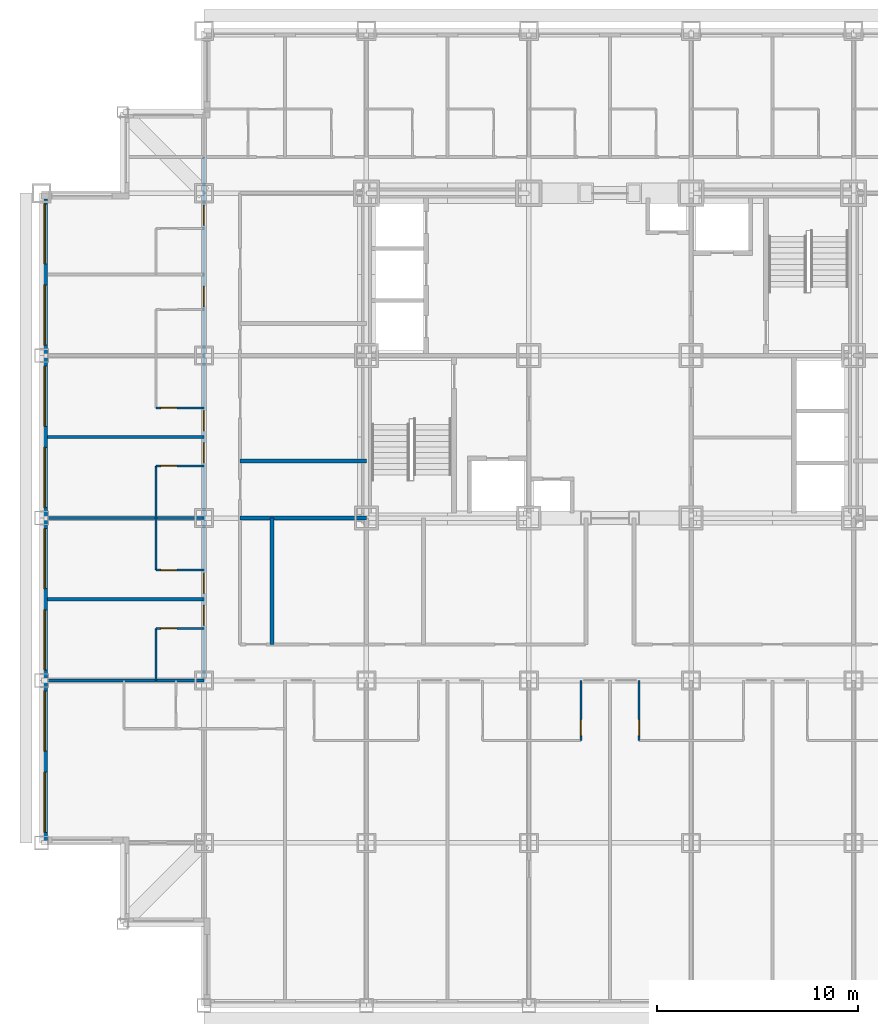
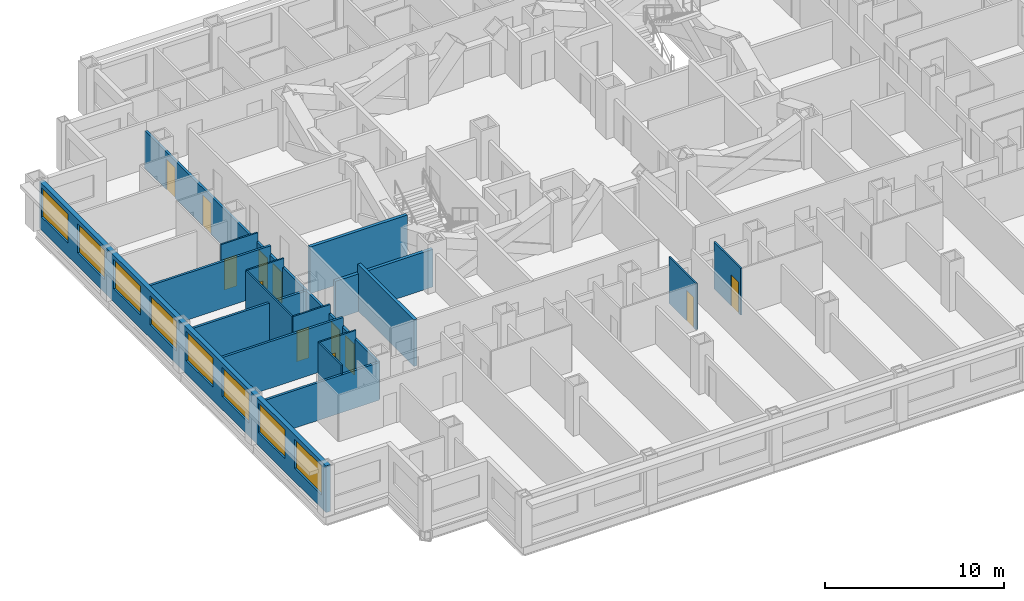
# One storey, part 4 of 12: 17 walls, 12 doors, 8 windows, 20 openings.
"""IFC4 building model written with IfcOpenShell, lengths in metres."""

from ifc_helpers import new_model, si_unit, direction, frame, frame_2d, origin, place, context, subcontext, project, spatial, rectangle, extrude, material, layer, layer_set, type_object, element, fill, save


model = new_model("IFC4")

# Units and contexts
model_context = context("Model", 3, precision=1e-05, world=origin(), true_north=direction((0.0, 1.0)))
body_context = subcontext(model_context, "Body", "Model", "MODEL_VIEW")
ifc_project = project(units=[si_unit("LENGTHUNIT", "METRE"), si_unit("AREAUNIT", "SQUARE_METRE"), si_unit("VOLUMEUNIT", "CUBIC_METRE"), si_unit("PLANEANGLEUNIT", "RADIAN"), si_unit("MASSUNIT", "GRAM", prefix="KILO")], contexts=[model_context])

# Site, building, storey
site_placement = place(None, origin())
site = spatial("IfcSite", under=ifc_project, at=site_placement, CompositionType="ELEMENT")
building_placement = place(site_placement, origin())
building = spatial("IfcBuilding", under=site, at=building_placement, Name="Kopane Lantern Tower", CompositionType="ELEMENT")
storey_placement = place(building_placement, frame((0.0, 0.0, 46.60009765625)))
storey = spatial("IfcBuildingStorey", under=building, at=storey_placement, Name="L10", CompositionType="ELEMENT", Elevation=46.60009765625)

# Wall, opening, door
ifc_material_1 = material(Name="Moisture-resistant board on steel studs", Category="steel")
ifc_layer_1 = layer(ifc_material_1, 0.10009765625)
ifc_layer_set_1 = layer_set([ifc_layer_1], Name="BATHROOM WALL 100")
wall_type_1 = type_object("IfcWallType", Name="BATHROOM WALL 100", PredefinedType="PARTITIONING", material=ifc_layer_set_1)
wall_1_placement = place(storey_placement, frame((26.89990234375, 16.199951171875, 0.0), z_axis=(0.0, 0.0, 1.0), x_axis=(0.0, -1.0, 0.0)))
wall_1 = element("IfcWall", 1, at=wall_1_placement, inside=storey, type_object=wall_type_1, Name="Bathroom Wall 100 L10", PredefinedType="PARTITIONING", context=body_context, shape_type="SweptSolid", body=[
    extrude(rectangle(XDim=3.0, YDim=0.10009765625, at=frame_2d((1.5, 0.0))), origin(), (0.0, 0.0, 1.0), 3.18994140625),
])
opening_1_placement = place(wall_1_placement, frame((1.949951171875, 0.0, 0.0)))
opening_1 = element("IfcOpeningElement", 2, at=opening_1_placement, cuts=wall_1, Name="Opening L10-022", PredefinedType="OPENING", context=body_context, shape_type="SweptSolid", body=[
    extrude(rectangle(XDim=0.800048828125, YDim=2.10009765625, at=frame_2d((0.39990234375, 1.050048828125))), frame((0.0, 0.06005859375, 0.0), z_axis=(0.0, -1.0, 0.0), x_axis=(1.0, 0.0, 0.0)), (0.0, 0.0, 1.0), 0.1201171875),
])
ifc_material_2 = material(Name="Timber door set", Category="wood")
door_type_1 = type_object("IfcDoorType", Name="DOOR D2 800x2100", OperationType="SINGLE_SWING_LEFT", PredefinedType="DOOR", material=ifc_material_2)
door_1_placement = place(opening_1_placement, origin())
door_1 = element("IfcDoor", 3, at=door_1_placement, inside=storey, type_object=door_type_1, Name="Door L10-022", OperationType="SINGLE_SWING_LEFT", OverallHeight=2.10009765625, OverallWidth=0.800048828125, PredefinedType="DOOR", context=body_context, shape_type="SweptSolid", body=[
    extrude(rectangle(XDim=0.800048828125, YDim=2.10009765625, at=frame_2d((0.39990234375, 1.050048828125))), frame((0.0, 0.02490234375, 0.0), z_axis=(0.0, -1.0, 0.0), x_axis=(1.0, 0.0, 0.0)), (0.0, 0.0, 1.0), 0.050048828125),
])
fill(opening_1, door_1)

wall_2_placement = place(storey_placement, frame((29.800048828125, 16.199951171875, 0.0), z_axis=(0.0, 0.0, 1.0), x_axis=(0.0, -1.0, 0.0)))
wall_2 = element("IfcWall", 4, at=wall_2_placement, inside=storey, type_object=wall_type_1, Name="Bathroom Wall 100 L10", PredefinedType="PARTITIONING", context=body_context, shape_type="SweptSolid", body=[
    extrude(rectangle(XDim=3.0, YDim=0.10009765625, at=frame_2d((1.5, 0.0))), origin(), (0.0, 0.0, 1.0), 3.18994140625),
])
opening_2_placement = place(wall_2_placement, frame((1.949951171875, 0.0, 0.0)))
opening_2 = element("IfcOpeningElement", 5, at=opening_2_placement, cuts=wall_2, Name="Opening L10-025", PredefinedType="OPENING", context=body_context, shape_type="SweptSolid", body=[
    extrude(rectangle(XDim=0.800048828125, YDim=2.10009765625, at=frame_2d((0.39990234375, 1.050048828125))), frame((0.0, 0.06005859375, 0.0), z_axis=(0.0, -1.0, 0.0), x_axis=(1.0, 0.0, 0.0)), (0.0, 0.0, 1.0), 0.1201171875),
])
door_2_placement = place(opening_2_placement, origin())
door_2 = element("IfcDoor", 6, at=door_2_placement, inside=storey, type_object=door_type_1, Name="Door L10-025", OperationType="SINGLE_SWING_RIGHT", OverallHeight=2.10009765625, OverallWidth=0.800048828125, PredefinedType="DOOR", context=body_context, shape_type="SweptSolid", body=[
    extrude(rectangle(XDim=0.800048828125, YDim=2.10009765625, at=frame_2d((0.39990234375, 1.050048828125))), frame((0.0, 0.02490234375, 0.0), z_axis=(0.0, -1.0, 0.0), x_axis=(1.0, 0.0, 0.0)), (0.0, 0.0, 1.0), 0.050048828125),
])
fill(opening_2, door_2)

# Wall
wall_3_placement = place(storey_placement, frame((5.699951171875, 16.199951171875, 0.0), z_axis=(0.0, 0.0, 1.0), x_axis=(0.0, 1.0, 0.0)))
element("IfcWall", 7, at=wall_3_placement, inside=storey, type_object=wall_type_1, Name="Bathroom Wall 100 L10", PredefinedType="PARTITIONING", context=body_context, shape_type="SweptSolid", body=[
    extrude(rectangle(XDim=2.60009765625, YDim=0.10009765625, at=frame_2d((1.300048828125, 0.0))), origin(), (0.0, 0.0, 1.0), 3.18994140625),
])

# Wall, opening, door
wall_4_placement = place(storey_placement, frame((8.10009765625, 18.800048828125, 0.0), z_axis=(0.0, 0.0, 1.0), x_axis=(-1.0, 0.0, 0.0)))
wall_4 = element("IfcWall", 8, at=wall_4_placement, inside=storey, type_object=wall_type_1, Name="Bathroom Wall 100 L10", PredefinedType="PARTITIONING", context=body_context, shape_type="SweptSolid", body=[
    extrude(rectangle(XDim=2.400146484375, YDim=0.10009765625, at=frame_2d((1.2001953125, 0.0))), origin(), (0.0, 0.0, 1.0), 3.18994140625),
])
opening_3_placement = place(wall_4_placement, frame((1.35009765625, 0.0, 0.0)))
opening_3 = element("IfcOpeningElement", 9, at=opening_3_placement, cuts=wall_4, Name="Opening L10-049", PredefinedType="OPENING", context=body_context, shape_type="SweptSolid", body=[
    extrude(rectangle(XDim=0.800048828125, YDim=2.10009765625, at=frame_2d((0.39990234375, 1.050048828125))), frame((0.0, 0.06005859375, 0.0), z_axis=(0.0, -1.0, 0.0), x_axis=(1.0, 0.0, 0.0)), (0.0, 0.0, 1.0), 0.1201171875),
])
door_3_placement = place(opening_3_placement, origin())
door_3 = element("IfcDoor", 10, at=door_3_placement, inside=storey, type_object=door_type_1, Name="Door L10-049", OperationType="SINGLE_SWING_RIGHT", OverallHeight=2.10009765625, OverallWidth=0.800048828125, PredefinedType="DOOR", context=body_context, shape_type="SweptSolid", body=[
    extrude(rectangle(XDim=0.800048828125, YDim=2.10009765625, at=frame_2d((0.39990234375, 1.050048828125))), frame((0.0, 0.02490234375, 0.0), z_axis=(0.0, -1.0, 0.0), x_axis=(1.0, 0.0, 0.0)), (0.0, 0.0, 1.0), 0.050048828125),
])
fill(opening_3, door_3)

# Wall
wall_5_placement = place(storey_placement, frame((5.699951171875, 21.699951171875, 0.0), z_axis=(0.0, 0.0, 1.0), x_axis=(0.0, 1.0, 0.0)))
element("IfcWall", 11, at=wall_5_placement, inside=storey, type_object=wall_type_1, Name="Bathroom Wall 100 L10", PredefinedType="PARTITIONING", context=body_context, shape_type="SweptSolid", body=[
    extrude(rectangle(XDim=5.199951171875, YDim=0.10009765625, at=frame_2d((2.60009765625, 0.0))), origin(), (0.0, 0.0, 1.0), 3.18994140625),
])

# Wall, opening, door
wall_6_placement = place(storey_placement, frame((8.10009765625, 21.699951171875, 0.0), z_axis=(0.0, 0.0, 1.0), x_axis=(-1.0, 0.0, 0.0)))
wall_6 = element("IfcWall", 12, at=wall_6_placement, inside=storey, type_object=wall_type_1, Name="Bathroom Wall 100 L10", PredefinedType="PARTITIONING", context=body_context, shape_type="SweptSolid", body=[
    extrude(rectangle(XDim=2.400146484375, YDim=0.10009765625, at=frame_2d((1.2001953125, 0.0))), origin(), (0.0, 0.0, 1.0), 3.18994140625),
])
opening_4_placement = place(wall_6_placement, frame((1.35009765625, 0.0, 0.0)))
opening_4 = element("IfcOpeningElement", 13, at=opening_4_placement, cuts=wall_6, Name="Opening L10-051", PredefinedType="OPENING", context=body_context, shape_type="SweptSolid", body=[
    extrude(rectangle(XDim=0.800048828125, YDim=2.10009765625, at=frame_2d((0.39990234375, 1.050048828125))), frame((0.0, 0.06005859375, 0.0), z_axis=(0.0, -1.0, 0.0), x_axis=(1.0, 0.0, 0.0)), (0.0, 0.0, 1.0), 0.1201171875),
])
door_4_placement = place(opening_4_placement, origin())
door_4 = element("IfcDoor", 14, at=door_4_placement, inside=storey, type_object=door_type_1, Name="Door L10-051", OperationType="SINGLE_SWING_LEFT", OverallHeight=2.10009765625, OverallWidth=0.800048828125, PredefinedType="DOOR", context=body_context, shape_type="SweptSolid", body=[
    extrude(rectangle(XDim=0.800048828125, YDim=2.10009765625, at=frame_2d((0.39990234375, 1.050048828125))), frame((0.0, 0.02490234375, 0.0), z_axis=(0.0, -1.0, 0.0), x_axis=(1.0, 0.0, 0.0)), (0.0, 0.0, 1.0), 0.050048828125),
])
fill(opening_4, door_4)

wall_7_placement = place(storey_placement, frame((8.10009765625, 26.89990234375, 0.0), z_axis=(0.0, 0.0, 1.0), x_axis=(-1.0, 0.0, 0.0)))
wall_7 = element("IfcWall", 15, at=wall_7_placement, inside=storey, type_object=wall_type_1, Name="Bathroom Wall 100 L10", PredefinedType="PARTITIONING", context=body_context, shape_type="SweptSolid", body=[
    extrude(rectangle(XDim=2.400146484375, YDim=0.10009765625, at=frame_2d((1.2001953125, 0.0))), origin(), (0.0, 0.0, 1.0), 3.18994140625),
])
opening_5_placement = place(wall_7_placement, frame((1.35009765625, 0.0, 0.0)))
opening_5 = element("IfcOpeningElement", 16, at=opening_5_placement, cuts=wall_7, Name="Opening L10-053", PredefinedType="OPENING", context=body_context, shape_type="SweptSolid", body=[
    extrude(rectangle(XDim=0.800048828125, YDim=2.10009765625, at=frame_2d((0.39990234375, 1.050048828125))), frame((0.0, 0.06005859375, 0.0), z_axis=(0.0, -1.0, 0.0), x_axis=(1.0, 0.0, 0.0)), (0.0, 0.0, 1.0), 0.1201171875),
])
door_5_placement = place(opening_5_placement, origin())
door_5 = element("IfcDoor", 17, at=door_5_placement, inside=storey, type_object=door_type_1, Name="Door L10-053", OperationType="SINGLE_SWING_RIGHT", OverallHeight=2.10009765625, OverallWidth=0.800048828125, PredefinedType="DOOR", context=body_context, shape_type="SweptSolid", body=[
    extrude(rectangle(XDim=0.800048828125, YDim=2.10009765625, at=frame_2d((0.39990234375, 1.050048828125))), frame((0.0, 0.02490234375, 0.0), z_axis=(0.0, -1.0, 0.0), x_axis=(1.0, 0.0, 0.0)), (0.0, 0.0, 1.0), 0.050048828125),
])
fill(opening_5, door_5)

wall_8_placement = place(storey_placement, frame((8.10009765625, 29.800048828125, 0.0), z_axis=(0.0, 0.0, 1.0), x_axis=(-1.0, 0.0, 0.0)))
wall_8 = element("IfcWall", 18, at=wall_8_placement, inside=storey, type_object=wall_type_1, Name="Bathroom Wall 100 L10", PredefinedType="PARTITIONING", context=body_context, shape_type="SweptSolid", body=[
    extrude(rectangle(XDim=2.400146484375, YDim=0.10009765625, at=frame_2d((1.2001953125, 0.0))), origin(), (0.0, 0.0, 1.0), 3.18994140625),
])
opening_6_placement = place(wall_8_placement, frame((1.35009765625, 0.0, 0.0)))
opening_6 = element("IfcOpeningElement", 19, at=opening_6_placement, cuts=wall_8, Name="Opening L10-055", PredefinedType="OPENING", context=body_context, shape_type="SweptSolid", body=[
    extrude(rectangle(XDim=0.800048828125, YDim=2.10009765625, at=frame_2d((0.39990234375, 1.050048828125))), frame((0.0, 0.06005859375, 0.0), z_axis=(0.0, -1.0, 0.0), x_axis=(1.0, 0.0, 0.0)), (0.0, 0.0, 1.0), 0.1201171875),
])
door_6_placement = place(opening_6_placement, origin())
door_6 = element("IfcDoor", 20, at=door_6_placement, inside=storey, type_object=door_type_1, Name="Door L10-055", OperationType="SINGLE_SWING_LEFT", OverallHeight=2.10009765625, OverallWidth=0.800048828125, PredefinedType="DOOR", context=body_context, shape_type="SweptSolid", body=[
    extrude(rectangle(XDim=0.800048828125, YDim=2.10009765625, at=frame_2d((0.39990234375, 1.050048828125))), frame((0.0, 0.02490234375, 0.0), z_axis=(0.0, -1.0, 0.0), x_axis=(1.0, 0.0, 0.0)), (0.0, 0.0, 1.0), 0.050048828125),
])
fill(opening_6, door_6)

# Wall, openings, doors
ifc_material_3 = material(Name="Gypsum board on steel studs", Category="steel")
ifc_layer_2 = layer(ifc_material_3, 0.14990234375)
ifc_layer_set_2 = layer_set([ifc_layer_2], Name="CORRIDOR WALL 150 EI 60")
wall_type_2 = type_object("IfcWallType", Name="CORRIDOR WALL 150 EI 60", PredefinedType="PARTITIONING", material=ifc_layer_set_2)
wall_9_placement = place(storey_placement, frame((8.10009765625, 16.199951171875, 0.0), z_axis=(0.0, 0.0, 1.0), x_axis=(0.0, 1.0, 0.0)))
wall_9 = element("IfcWall", 21, at=wall_9_placement, inside=storey, type_object=wall_type_2, Name="Corridor Wall 150 Ei 60 L10", PredefinedType="PARTITIONING", context=body_context, shape_type="SweptSolid", body=[
    extrude(rectangle(XDim=26.10009765625, YDim=0.14990234375, at=frame_2d((13.050048828125, 0.0))), origin(), (0.0, 0.0, 1.0), 2.57763671875),
])
opening_7_placement = place(wall_9_placement, frame((2.75, 0.0, 0.0)))
opening_7 = element("IfcOpeningElement", 22, at=opening_7_placement, cuts=wall_9, Name="Opening L10-050", PredefinedType="OPENING", context=body_context, shape_type="SweptSolid", body=[
    extrude(rectangle(XDim=1.0, YDim=2.10009765625, at=frame_2d((0.5, 1.050048828125))), frame((0.0, 0.0849609375, 0.0), z_axis=(0.0, -1.0, 0.0), x_axis=(1.0, 0.0, 0.0)), (0.0, 0.0, 1.0), 0.169921875),
])
opening_8_placement = place(wall_9_placement, frame((4.35009765625, 0.0, 0.0)))
opening_8 = element("IfcOpeningElement", 23, at=opening_8_placement, cuts=wall_9, Name="Opening L10-052", PredefinedType="OPENING", context=body_context, shape_type="SweptSolid", body=[
    extrude(rectangle(XDim=1.0, YDim=2.10009765625, at=frame_2d((0.5, 1.050048828125))), frame((0.0, 0.0849609375, 0.0), z_axis=(0.0, -1.0, 0.0), x_axis=(1.0, 0.0, 0.0)), (0.0, 0.0, 1.0), 0.169921875),
])
opening_9_placement = place(wall_9_placement, frame((10.85009765625, 0.0, 0.0)))
opening_9 = element("IfcOpeningElement", 24, at=opening_9_placement, cuts=wall_9, Name="Opening L10-054", PredefinedType="OPENING", context=body_context, shape_type="SweptSolid", body=[
    extrude(rectangle(XDim=1.0, YDim=2.10009765625, at=frame_2d((0.5, 1.050048828125))), frame((0.0, 0.0849609375, 0.0), z_axis=(0.0, -1.0, 0.0), x_axis=(1.0, 0.0, 0.0)), (0.0, 0.0, 1.0), 0.169921875),
])
opening_10_placement = place(wall_9_placement, frame((12.449951171875, 0.0, 0.0)))
opening_10 = element("IfcOpeningElement", 25, at=opening_10_placement, cuts=wall_9, Name="Opening L10-056", PredefinedType="OPENING", context=body_context, shape_type="SweptSolid", body=[
    extrude(rectangle(XDim=1.0, YDim=2.10009765625, at=frame_2d((0.5, 1.050048828125))), frame((0.0, 0.0849609375, 0.0), z_axis=(0.0, -1.0, 0.0), x_axis=(1.0, 0.0, 0.0)), (0.0, 0.0, 1.0), 0.169921875),
])
opening_11_placement = place(wall_9_placement, frame((18.64990234375, 0.0, 0.0)))
opening_11 = element("IfcOpeningElement", 26, at=opening_11_placement, cuts=wall_9, Name="Opening L10-058", PredefinedType="OPENING", context=body_context, shape_type="SweptSolid", body=[
    extrude(rectangle(XDim=1.0, YDim=2.10009765625, at=frame_2d((0.5, 1.050048828125))), frame((0.0, 0.0849609375, 0.0), z_axis=(0.0, -1.0, 0.0), x_axis=(1.0, 0.0, 0.0)), (0.0, 0.0, 1.0), 0.169921875),
])
opening_12_placement = place(wall_9_placement, frame((22.699951171875, 0.0, 0.0)))
opening_12 = element("IfcOpeningElement", 27, at=opening_12_placement, cuts=wall_9, Name="Opening L10-060", PredefinedType="OPENING", context=body_context, shape_type="SweptSolid", body=[
    extrude(rectangle(XDim=1.0, YDim=2.10009765625, at=frame_2d((0.5, 1.050048828125))), frame((0.0, 0.0849609375, 0.0), z_axis=(0.0, -1.0, 0.0), x_axis=(1.0, 0.0, 0.0)), (0.0, 0.0, 1.0), 0.169921875),
])
ifc_material_4 = material(Name="Steel door set", Category="steel")
door_type_2 = type_object("IfcDoorType", Name="DOOR D1 1000x2100 FD30S", OperationType="SINGLE_SWING_LEFT", PredefinedType="DOOR", material=ifc_material_4)
door_7_placement = place(opening_7_placement, origin())
door_7 = element("IfcDoor", 28, at=door_7_placement, inside=storey, type_object=door_type_2, Name="Door L10-050", OperationType="SINGLE_SWING_LEFT", OverallHeight=2.10009765625, OverallWidth=1.0, PredefinedType="DOOR", context=body_context, shape_type="SweptSolid", body=[
    extrude(rectangle(XDim=1.0, YDim=2.10009765625, at=frame_2d((0.5, 1.050048828125))), frame((0.0, 0.02490234375, 0.0), z_axis=(0.0, -1.0, 0.0), x_axis=(1.0, 0.0, 0.0)), (0.0, 0.0, 1.0), 0.050048828125),
])
fill(opening_7, door_7)
door_8_placement = place(opening_8_placement, origin())
door_8 = element("IfcDoor", 29, at=door_8_placement, inside=storey, type_object=door_type_2, Name="Door L10-052", OperationType="SINGLE_SWING_RIGHT", OverallHeight=2.10009765625, OverallWidth=1.0, PredefinedType="DOOR", context=body_context, shape_type="SweptSolid", body=[
    extrude(rectangle(XDim=1.0, YDim=2.10009765625, at=frame_2d((0.5, 1.050048828125))), frame((0.0, 0.02490234375, 0.0), z_axis=(0.0, -1.0, 0.0), x_axis=(1.0, 0.0, 0.0)), (0.0, 0.0, 1.0), 0.050048828125),
])
fill(opening_8, door_8)
door_9_placement = place(opening_9_placement, origin())
door_9 = element("IfcDoor", 30, at=door_9_placement, inside=storey, type_object=door_type_2, Name="Door L10-054", OperationType="SINGLE_SWING_LEFT", OverallHeight=2.10009765625, OverallWidth=1.0, PredefinedType="DOOR", context=body_context, shape_type="SweptSolid", body=[
    extrude(rectangle(XDim=1.0, YDim=2.10009765625, at=frame_2d((0.5, 1.050048828125))), frame((0.0, 0.02490234375, 0.0), z_axis=(0.0, -1.0, 0.0), x_axis=(1.0, 0.0, 0.0)), (0.0, 0.0, 1.0), 0.050048828125),
])
fill(opening_9, door_9)
door_10_placement = place(opening_10_placement, origin())
door_10 = element("IfcDoor", 31, at=door_10_placement, inside=storey, type_object=door_type_2, Name="Door L10-056", OperationType="SINGLE_SWING_RIGHT", OverallHeight=2.10009765625, OverallWidth=1.0, PredefinedType="DOOR", context=body_context, shape_type="SweptSolid", body=[
    extrude(rectangle(XDim=1.0, YDim=2.10009765625, at=frame_2d((0.5, 1.050048828125))), frame((0.0, 0.02490234375, 0.0), z_axis=(0.0, -1.0, 0.0), x_axis=(1.0, 0.0, 0.0)), (0.0, 0.0, 1.0), 0.050048828125),
])
fill(opening_10, door_10)
door_11_placement = place(opening_11_placement, origin())
door_11 = element("IfcDoor", 32, at=door_11_placement, inside=storey, type_object=door_type_2, Name="Door L10-058", OperationType="SINGLE_SWING_LEFT", OverallHeight=2.10009765625, OverallWidth=1.0, PredefinedType="DOOR", context=body_context, shape_type="SweptSolid", body=[
    extrude(rectangle(XDim=1.0, YDim=2.10009765625, at=frame_2d((0.5, 1.050048828125))), frame((0.0, 0.02490234375, 0.0), z_axis=(0.0, -1.0, 0.0), x_axis=(1.0, 0.0, 0.0)), (0.0, 0.0, 1.0), 0.050048828125),
])
fill(opening_11, door_11)
door_12_placement = place(opening_12_placement, origin())
door_12 = element("IfcDoor", 33, at=door_12_placement, inside=storey, type_object=door_type_2, Name="Door L10-060", OperationType="SINGLE_SWING_LEFT", OverallHeight=2.10009765625, OverallWidth=1.0, PredefinedType="DOOR", context=body_context, shape_type="SweptSolid", body=[
    extrude(rectangle(XDim=1.0, YDim=2.10009765625, at=frame_2d((0.5, 1.050048828125))), frame((0.0, 0.02490234375, 0.0), z_axis=(0.0, -1.0, 0.0), x_axis=(1.0, 0.0, 0.0)), (0.0, 0.0, 1.0), 0.050048828125),
])
fill(opening_12, door_12)

# Walls
ifc_material_5 = material(Name="Gypsum board on steel studs", Category="steel")
ifc_layer_3 = layer(ifc_material_5, 0.14990234375)
ifc_layer_set_3 = layer_set([ifc_layer_3], Name="DEMISING WALL 150 EI 60")
wall_type_3 = type_object("IfcWallType", Name="DEMISING WALL 150 EI 60", PredefinedType="PARTITIONING", material=ifc_layer_set_3)
wall_10_placement = place(storey_placement, frame((8.10009765625, 20.25, 0.0), z_axis=(0.0, 0.0, 1.0), x_axis=(-1.0, 0.0, 0.0)))
element("IfcWall", 34, at=wall_10_placement, inside=storey, type_object=wall_type_3, Name="Demising Wall 150 Ei 60 L10", PredefinedType="PARTITIONING", context=body_context, shape_type="SweptSolid", body=[
    extrude(rectangle(XDim=7.800048828125, YDim=0.14990234375, at=frame_2d((3.89990234375, 0.0))), origin(), (0.0, 0.0, 1.0), 3.18994140625),
])
wall_11_placement = place(storey_placement, frame((8.10009765625, 24.300048828125, 0.0), z_axis=(0.0, 0.0, 1.0), x_axis=(-1.0, 0.0, 0.0)))
element("IfcWall", 35, at=wall_11_placement, inside=storey, type_object=wall_type_3, Name="Demising Wall 150 Ei 60 L10", PredefinedType="PARTITIONING", context=body_context, shape_type="SweptSolid", body=[
    extrude(rectangle(XDim=7.800048828125, YDim=0.14990234375, at=frame_2d((3.89990234375, 0.0))), origin(), (0.0, 0.0, 1.0), 2.57763671875),
])
wall_12_placement = place(storey_placement, frame((8.10009765625, 28.35009765625, 0.0), z_axis=(0.0, 0.0, 1.0), x_axis=(-1.0, 0.0, 0.0)))
element("IfcWall", 36, at=wall_12_placement, inside=storey, type_object=wall_type_3, Name="Demising Wall 150 Ei 60 L10", PredefinedType="PARTITIONING", context=body_context, shape_type="SweptSolid", body=[
    extrude(rectangle(XDim=7.800048828125, YDim=0.14990234375, at=frame_2d((3.89990234375, 0.0))), origin(), (0.0, 0.0, 1.0), 3.18994140625),
])
wall_13_placement = place(storey_placement, frame((0.300048828125, 16.199951171875, 0.0), z_axis=(0.0, 0.0, 1.0), x_axis=(1.0, 0.0, 0.0)))
element("IfcWall", 37, at=wall_13_placement, inside=storey, type_object=wall_type_3, Name="Demising Wall 150 Ei 60 L10", PredefinedType="PARTITIONING", context=body_context, shape_type="SweptSolid", body=[
    extrude(rectangle(XDim=7.800048828125, YDim=0.14990234375, at=frame_2d((3.89990234375, 0.0))), origin(), (0.0, 0.0, 1.0), 2.57763671875),
])

# Wall, openings, windows
ifc_material_6 = material(Name="Terracotta rainscreen on light steel framing", Category="masonry")
ifc_layer_4 = layer(ifc_material_6, 0.300048828125)
ifc_layer_set_4 = layer_set([ifc_layer_4], Name="EXTERNAL WALL EW1 300 TERRACOTTA")
wall_type_4 = type_object("IfcWallType", Name="EXTERNAL WALL EW1 300 TERRACOTTA", PredefinedType="SOLIDWALL", material=ifc_layer_set_4)
wall_14_placement = place(storey_placement, frame((0.14990234375, 40.199951171875, 0.0), z_axis=(0.0, 0.0, 1.0), x_axis=(0.0, -1.0, 0.0)))
wall_14 = element("IfcWall", 38, at=wall_14_placement, inside=storey, type_object=wall_type_4, Name="External wall W L10", PredefinedType="SOLIDWALL", context=body_context, shape_type="SweptSolid", body=[
    extrude(rectangle(XDim=32.099853515625, YDim=0.300048828125, at=frame_2d((16.0498046875, 0.0))), origin(), (0.0, 0.0, 1.0), 3.18994140625),
])
opening_13_placement = place(wall_14_placement, frame((0.22509765625, 0.0, 0.89990234375)))
opening_13 = element("IfcOpeningElement", 39, at=opening_13_placement, cuts=wall_14, Name="Opening WR300200", PredefinedType="OPENING", context=body_context, shape_type="SweptSolid", body=[
    extrude(rectangle(XDim=3.0, YDim=2.0, at=frame_2d((1.5, 1.0))), frame((0.0, 0.159912109375, 0.0), z_axis=(0.0, -1.0, 0.0), x_axis=(1.0, 0.0, 0.0)), (0.0, 0.0, 1.0), 0.320068359375),
])
opening_14_placement = place(wall_14_placement, frame((4.27490234375, 0.0, 0.89990234375)))
opening_14 = element("IfcOpeningElement", 40, at=opening_14_placement, cuts=wall_14, Name="Opening WR300200", PredefinedType="OPENING", context=body_context, shape_type="SweptSolid", body=[
    extrude(rectangle(XDim=3.0, YDim=2.0, at=frame_2d((1.5, 1.0))), frame((0.0, 0.159912109375, 0.0), z_axis=(0.0, -1.0, 0.0), x_axis=(1.0, 0.0, 0.0)), (0.0, 0.0, 1.0), 0.320068359375),
])
opening_15_placement = place(wall_14_placement, frame((8.324951171875, 0.0, 0.89990234375)))
opening_15 = element("IfcOpeningElement", 41, at=opening_15_placement, cuts=wall_14, Name="Opening WR300200", PredefinedType="OPENING", context=body_context, shape_type="SweptSolid", body=[
    extrude(rectangle(XDim=3.0, YDim=2.0, at=frame_2d((1.5, 1.0))), frame((0.0, 0.159912109375, 0.0), z_axis=(0.0, -1.0, 0.0), x_axis=(1.0, 0.0, 0.0)), (0.0, 0.0, 1.0), 0.320068359375),
])
opening_16_placement = place(wall_14_placement, frame((12.375, 0.0, 0.89990234375)))
opening_16 = element("IfcOpeningElement", 42, at=opening_16_placement, cuts=wall_14, Name="Opening WR300200", PredefinedType="OPENING", context=body_context, shape_type="SweptSolid", body=[
    extrude(rectangle(XDim=3.0, YDim=2.0, at=frame_2d((1.5, 1.0))), frame((0.0, 0.159912109375, 0.0), z_axis=(0.0, -1.0, 0.0), x_axis=(1.0, 0.0, 0.0)), (0.0, 0.0, 1.0), 0.320068359375),
])
opening_17_placement = place(wall_14_placement, frame((16.425048828125, 0.0, 0.89990234375)))
opening_17 = element("IfcOpeningElement", 43, at=opening_17_placement, cuts=wall_14, Name="Opening WR300200", PredefinedType="OPENING", context=body_context, shape_type="SweptSolid", body=[
    extrude(rectangle(XDim=3.0, YDim=2.0, at=frame_2d((1.5, 1.0))), frame((0.0, 0.159912109375, 0.0), z_axis=(0.0, -1.0, 0.0), x_axis=(1.0, 0.0, 0.0)), (0.0, 0.0, 1.0), 0.320068359375),
])
opening_18_placement = place(wall_14_placement, frame((20.47509765625, 0.0, 0.89990234375)))
opening_18 = element("IfcOpeningElement", 44, at=opening_18_placement, cuts=wall_14, Name="Opening WR300200", PredefinedType="OPENING", context=body_context, shape_type="SweptSolid", body=[
    extrude(rectangle(XDim=3.0, YDim=2.0, at=frame_2d((1.5, 1.0))), frame((0.0, 0.159912109375, 0.0), z_axis=(0.0, -1.0, 0.0), x_axis=(1.0, 0.0, 0.0)), (0.0, 0.0, 1.0), 0.320068359375),
])
opening_19_placement = place(wall_14_placement, frame((24.52490234375, 0.0, 0.89990234375)))
opening_19 = element("IfcOpeningElement", 45, at=opening_19_placement, cuts=wall_14, Name="Opening WR300200", PredefinedType="OPENING", context=body_context, shape_type="SweptSolid", body=[
    extrude(rectangle(XDim=3.0, YDim=2.0, at=frame_2d((1.5, 1.0))), frame((0.0, 0.159912109375, 0.0), z_axis=(0.0, -1.0, 0.0), x_axis=(1.0, 0.0, 0.0)), (0.0, 0.0, 1.0), 0.320068359375),
])
opening_20_placement = place(wall_14_placement, frame((28.574951171875, 0.0, 0.89990234375)))
opening_20 = element("IfcOpeningElement", 46, at=opening_20_placement, cuts=wall_14, Name="Opening WR300200", PredefinedType="OPENING", context=body_context, shape_type="SweptSolid", body=[
    extrude(rectangle(XDim=3.0, YDim=2.0, at=frame_2d((1.5, 1.0))), frame((0.0, 0.159912109375, 0.0), z_axis=(0.0, -1.0, 0.0), x_axis=(1.0, 0.0, 0.0)), (0.0, 0.0, 1.0), 0.320068359375),
])
ifc_material_7 = material(Name="Aluminium and clear glass", Category="aluminium")
window_type = type_object("IfcWindowType", Name="RIBBON WINDOW WR300200 3000x2000", PartitioningType="SINGLE_PANEL", PredefinedType="WINDOW", material=ifc_material_7)
window_1_placement = place(opening_13_placement, origin())
window_1 = element("IfcWindow", 47, at=window_1_placement, inside=storey, type_object=window_type, Name="Window W L10", OverallHeight=2.0, OverallWidth=3.0, PartitioningType="SINGLE_PANEL", PredefinedType="WINDOW", context=body_context, shape_type="SweptSolid", body=[
    extrude(rectangle(XDim=3.0, YDim=2.0, at=frame_2d((1.5, 1.0))), frame((0.0, 0.030029296875, 0.0), z_axis=(0.0, -1.0, 0.0), x_axis=(1.0, 0.0, 0.0)), (0.0, 0.0, 1.0), 0.06005859375),
])
fill(opening_13, window_1)
window_2_placement = place(opening_14_placement, origin())
window_2 = element("IfcWindow", 48, at=window_2_placement, inside=storey, type_object=window_type, Name="Window W L10", OverallHeight=2.0, OverallWidth=3.0, PartitioningType="SINGLE_PANEL", PredefinedType="WINDOW", context=body_context, shape_type="SweptSolid", body=[
    extrude(rectangle(XDim=3.0, YDim=2.0, at=frame_2d((1.5, 1.0))), frame((0.0, 0.030029296875, 0.0), z_axis=(0.0, -1.0, 0.0), x_axis=(1.0, 0.0, 0.0)), (0.0, 0.0, 1.0), 0.06005859375),
])
fill(opening_14, window_2)
window_3_placement = place(opening_15_placement, origin())
window_3 = element("IfcWindow", 49, at=window_3_placement, inside=storey, type_object=window_type, Name="Window W L10", OverallHeight=2.0, OverallWidth=3.0, PartitioningType="SINGLE_PANEL", PredefinedType="WINDOW", context=body_context, shape_type="SweptSolid", body=[
    extrude(rectangle(XDim=3.0, YDim=2.0, at=frame_2d((1.5, 1.0))), frame((0.0, 0.030029296875, 0.0), z_axis=(0.0, -1.0, 0.0), x_axis=(1.0, 0.0, 0.0)), (0.0, 0.0, 1.0), 0.06005859375),
])
fill(opening_15, window_3)
window_4_placement = place(opening_16_placement, origin())
window_4 = element("IfcWindow", 50, at=window_4_placement, inside=storey, type_object=window_type, Name="Window W L10", OverallHeight=2.0, OverallWidth=3.0, PartitioningType="SINGLE_PANEL", PredefinedType="WINDOW", context=body_context, shape_type="SweptSolid", body=[
    extrude(rectangle(XDim=3.0, YDim=2.0, at=frame_2d((1.5, 1.0))), frame((0.0, 0.030029296875, 0.0), z_axis=(0.0, -1.0, 0.0), x_axis=(1.0, 0.0, 0.0)), (0.0, 0.0, 1.0), 0.06005859375),
])
fill(opening_16, window_4)
window_5_placement = place(opening_17_placement, origin())
window_5 = element("IfcWindow", 51, at=window_5_placement, inside=storey, type_object=window_type, Name="Window W L10", OverallHeight=2.0, OverallWidth=3.0, PartitioningType="SINGLE_PANEL", PredefinedType="WINDOW", context=body_context, shape_type="SweptSolid", body=[
    extrude(rectangle(XDim=3.0, YDim=2.0, at=frame_2d((1.5, 1.0))), frame((0.0, 0.030029296875, 0.0), z_axis=(0.0, -1.0, 0.0), x_axis=(1.0, 0.0, 0.0)), (0.0, 0.0, 1.0), 0.06005859375),
])
fill(opening_17, window_5)
window_6_placement = place(opening_18_placement, origin())
window_6 = element("IfcWindow", 52, at=window_6_placement, inside=storey, type_object=window_type, Name="Window W L10", OverallHeight=2.0, OverallWidth=3.0, PartitioningType="SINGLE_PANEL", PredefinedType="WINDOW", context=body_context, shape_type="SweptSolid", body=[
    extrude(rectangle(XDim=3.0, YDim=2.0, at=frame_2d((1.5, 1.0))), frame((0.0, 0.030029296875, 0.0), z_axis=(0.0, -1.0, 0.0), x_axis=(1.0, 0.0, 0.0)), (0.0, 0.0, 1.0), 0.06005859375),
])
fill(opening_18, window_6)
window_7_placement = place(opening_19_placement, origin())
window_7 = element("IfcWindow", 53, at=window_7_placement, inside=storey, type_object=window_type, Name="Window W L10", OverallHeight=2.0, OverallWidth=3.0, PartitioningType="SINGLE_PANEL", PredefinedType="WINDOW", context=body_context, shape_type="SweptSolid", body=[
    extrude(rectangle(XDim=3.0, YDim=2.0, at=frame_2d((1.5, 1.0))), frame((0.0, 0.030029296875, 0.0), z_axis=(0.0, -1.0, 0.0), x_axis=(1.0, 0.0, 0.0)), (0.0, 0.0, 1.0), 0.06005859375),
])
fill(opening_19, window_7)
window_8_placement = place(opening_20_placement, origin())
window_8 = element("IfcWindow", 54, at=window_8_placement, inside=storey, type_object=window_type, Name="Window W L10", OverallHeight=2.0, OverallWidth=3.0, PartitioningType="SINGLE_PANEL", PredefinedType="WINDOW", context=body_context, shape_type="SweptSolid", body=[
    extrude(rectangle(XDim=3.0, YDim=2.0, at=frame_2d((1.5, 1.0))), frame((0.0, 0.030029296875, 0.0), z_axis=(0.0, -1.0, 0.0), x_axis=(1.0, 0.0, 0.0)), (0.0, 0.0, 1.0), 0.06005859375),
])
fill(opening_20, window_8)

# Walls
ifc_material_8 = material(Name="Concrete masonry", Category="masonry")
ifc_layer_5 = layer(ifc_material_8, 0.199951171875)
ifc_layer_set_5 = layer_set([ifc_layer_5], Name="PLANT ROOM WALL 200 EI 120")
wall_type_5 = type_object("IfcWallType", Name="PLANT ROOM WALL 200 EI 120", PredefinedType="SOLIDWALL", material=ifc_layer_set_5)
for number, where, z_axis, x_axis, name in (
    (55, (9.89990234375, 27.156982421875, 0.0), (0.0, 0.0, 1.0), (1.0, 0.0, 0.0), "Plant Room Wall 200 Ei 120 L10"),
    (56, (11.5, 18.0, 0.0), (0.0, 0.0, 1.0), (0.0, 1.0, 0.0), "Plant Room Wall 200 Ei 120 L10"),
):
    element("IfcWall", number, at=place(storey_placement, frame(where, z_axis=z_axis, x_axis=x_axis)), inside=storey, type_object=wall_type_5, Name=name, PredefinedType="SOLIDWALL", context=body_context, shape_type="SweptSolid", body=[
        extrude(rectangle(XDim=6.300048828125, YDim=0.199951171875, at=frame_2d((3.14990234375, 0.0))), origin(), (0.0, 0.0, 1.0), 3.18994140625),
    ])
wall_15_placement = place(storey_placement, frame((9.89990234375, 24.300048828125, 0.0), z_axis=(0.0, 0.0, 1.0), x_axis=(1.0, 0.0, 0.0)))
element("IfcWall", 57, at=wall_15_placement, inside=storey, type_object=wall_type_5, Name="Plant Room Wall 200 Ei 120 L10", PredefinedType="SOLIDWALL", context=body_context, shape_type="SweptSolid", body=[
    extrude(rectangle(XDim=6.300048828125, YDim=0.199951171875, at=frame_2d((3.14990234375, 0.0))), origin(), (0.0, 0.0, 1.0), 2.57763671875),
])

save(model, "model.ifc")
